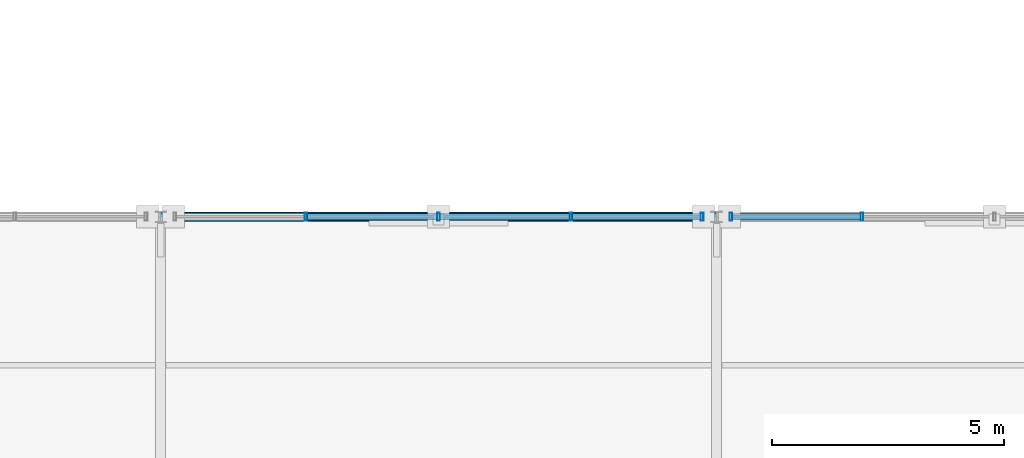
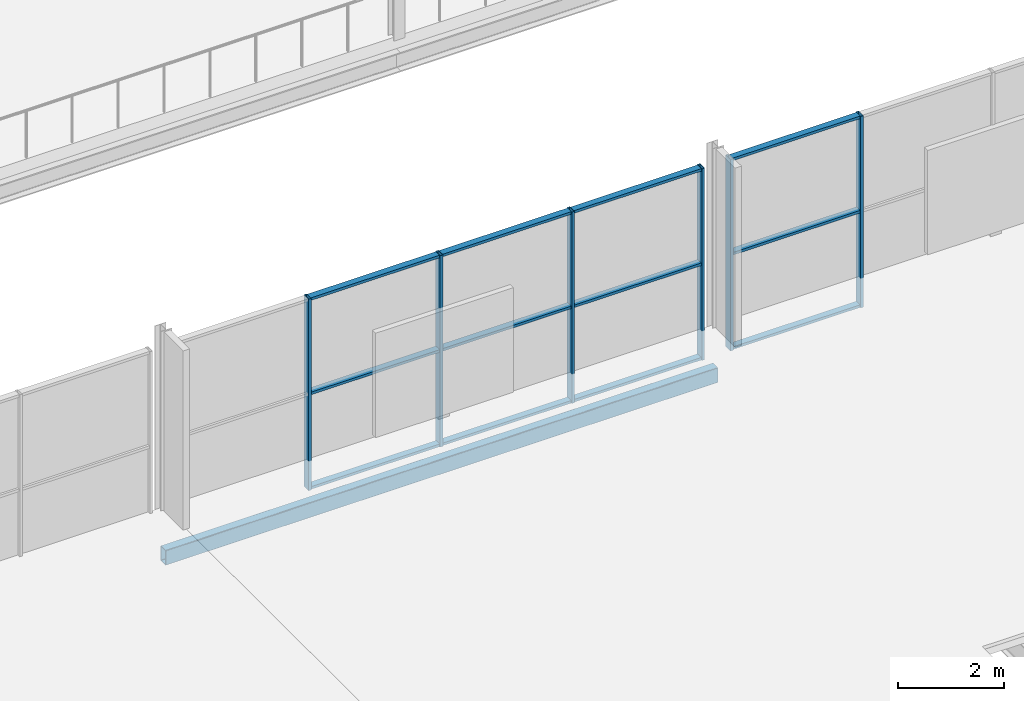
# One storey, part 99 of 159: 18 members, 1 beam, 2 elements without a shape of their own.
"""IFC4 building model written with IfcOpenShell, lengths in metres."""

from ifc_helpers import new_model, si_unit, direction, frame, origin, origin_2d, place, context, subcontext, project, spatial, hollow_rectangle, extrude, material, material_profile, profile_set, type_object, element, aggregate, save


model = new_model("IFC4")

# Units and contexts
model_context = context("Model", 3, precision=1e-05, world=origin(), true_north=direction((0.0, 1.0)))
body_context = subcontext(model_context, "Body", "Model", "MODEL_VIEW")
ifc_project = project(units=[si_unit("LENGTHUNIT", "METRE"), si_unit("AREAUNIT", "SQUARE_METRE"), si_unit("VOLUMEUNIT", "CUBIC_METRE"), si_unit("PLANEANGLEUNIT", "RADIAN"), si_unit("MASSUNIT", "GRAM", prefix="KILO")], contexts=[model_context])

# Site, building, storey
site_placement = place(None, origin())
site = spatial("IfcSite", under=ifc_project, at=site_placement, CompositionType="ELEMENT")
building_placement = place(site_placement, origin())
building = spatial("IfcBuilding", under=site, at=building_placement, Name="Merenkruunu Market Hall", CompositionType="ELEMENT")
storey_placement = place(building_placement, frame((0.0, 0.0, 5.39990234375)))
storey = spatial("IfcBuildingStorey", under=building, at=storey_placement, Name="L01", CompositionType="ELEMENT", Elevation=5.39990234375)

# Curtain wall, members
ifc_material_1 = material(Name="Powder-coated aluminium", Category="aluminium")
curtain_wall_type = type_object("IfcCurtainWallType", Name="Glazed Curtain Wall CW02", PredefinedType="USERDEFINED", material=ifc_material_1)
curtain_wall_1_placement = place(storey_placement, origin())
curtain_wall_1 = element("IfcCurtainWall", 1, at=curtain_wall_1_placement, inside=storey, type_object=curtain_wall_type, Name="CW-L01-CWM02-195", ObjectType="GLAZED_FACADE", PredefinedType="USERDEFINED")
ifc_material_profile_1 = material_profile(ifc_material_1, hollow_rectangle(XDim=0.06005859375, YDim=0.179931640625, WallThickness=0.00390625, at=origin_2d()), Name="ALU 60x180x4")
ifc_profile_set_1 = profile_set([ifc_material_profile_1], Name="Powder-coated aluminium")
member_type_1 = type_object("IfcMemberType", Name="Curtain Wall Mullion CWM02", PredefinedType="MULLION", material=ifc_profile_set_1)
member_1_placement = place(storey_placement, frame((136.489990234375, 15.60009765625, 0.0), z_axis=(0.0, 0.0, 1.0), x_axis=(-1.0, 0.0, 0.0)))
member_1 = element("IfcMember", 2, at=member_1_placement, type_object=member_type_1, Name="CW02 mullion 1", PredefinedType="MULLION", context=body_context, shape_type="SweptSolid", body=[
    extrude(hollow_rectangle(XDim=0.06005859375, YDim=0.179931640625, WallThickness=0.00390625, at=origin_2d()), origin(), (0.0, 0.0, 1.0), 4.400146484375),
])
member_2_placement = place(storey_placement, frame((133.659912109375, 15.60009765625, 0.0), z_axis=(0.0, 0.0, 1.0), x_axis=(-1.0, 0.0, 0.0)))
member_2 = element("IfcMember", 3, at=member_2_placement, type_object=member_type_1, Name="CW02 mullion 2", PredefinedType="MULLION", context=body_context, shape_type="SweptSolid", body=[
    extrude(hollow_rectangle(XDim=0.06005859375, YDim=0.179931640625, WallThickness=0.00390625, at=origin_2d()), origin(), (0.0, 0.0, 1.0), 4.400146484375),
])
member_3_placement = place(storey_placement, frame((130.800048828125, 15.60009765625, 0.0), z_axis=(0.0, 0.0, 1.0), x_axis=(-1.0, 0.0, 0.0)))
member_3 = element("IfcMember", 4, at=member_3_placement, type_object=member_type_1, Name="CW02 mullion 3", PredefinedType="MULLION", context=body_context, shape_type="SweptSolid", body=[
    extrude(hollow_rectangle(XDim=0.06005859375, YDim=0.179931640625, WallThickness=0.00390625, at=origin_2d()), origin(), (0.0, 0.0, 1.0), 4.400146484375),
])
member_4_placement = place(storey_placement, frame((127.93994140625, 15.60009765625, 0.0), z_axis=(0.0, 0.0, 1.0), x_axis=(-1.0, 0.0, 0.0)))
member_4 = element("IfcMember", 5, at=member_4_placement, type_object=member_type_1, Name="CW02 mullion 4", PredefinedType="MULLION", context=body_context, shape_type="SweptSolid", body=[
    extrude(hollow_rectangle(XDim=0.06005859375, YDim=0.179931640625, WallThickness=0.00390625, at=origin_2d()), origin(), (0.0, 0.0, 1.0), 4.400146484375),
])

curtain_wall_2_placement = place(storey_placement, origin())
curtain_wall_2 = element("IfcCurtainWall", 6, at=curtain_wall_2_placement, inside=storey, type_object=curtain_wall_type, Name="CW-L01-CWM02-199", ObjectType="GLAZED_FACADE", PredefinedType="USERDEFINED")
member_5_placement = place(storey_placement, frame((139.93994140625, 15.60009765625, 0.0), z_axis=(0.0, 0.0, 1.0), x_axis=(-1.0, 0.0, 0.0)))
member_5 = element("IfcMember", 7, at=member_5_placement, type_object=member_type_1, Name="CW02 mullion 4", PredefinedType="MULLION", context=body_context, shape_type="SweptSolid", body=[
    extrude(hollow_rectangle(XDim=0.06005859375, YDim=0.179931640625, WallThickness=0.00390625, at=origin_2d()), origin(), (0.0, 0.0, 1.0), 4.400146484375),
])
member_6_placement = place(storey_placement, frame((137.110107421875, 15.60009765625, 0.0), z_axis=(0.0, 0.0, 1.0), x_axis=(-1.0, 0.0, 0.0)))
member_6 = element("IfcMember", 8, at=member_6_placement, type_object=member_type_1, Name="CW02 mullion 5", PredefinedType="MULLION", context=body_context, shape_type="SweptSolid", body=[
    extrude(hollow_rectangle(XDim=0.06005859375, YDim=0.179931640625, WallThickness=0.00390625, at=origin_2d()), origin(), (0.0, 0.0, 1.0), 4.400146484375),
])

# Member
ifc_material_profile_2 = material_profile(ifc_material_1, hollow_rectangle(XDim=0.06005859375, YDim=0.139892578125, WallThickness=0.00390625, at=origin_2d()), Name="ALU 60x140x4")
ifc_profile_set_2 = profile_set([ifc_material_profile_2], Name="Powder-coated aluminium")
member_type_2 = type_object("IfcMemberType", Name="Curtain Wall Transom CWT02", PredefinedType="USERDEFINED", material=ifc_profile_set_2)
member_7_placement = place(storey_placement, frame((136.4599609375, 15.60009765625, 0.030029296875), z_axis=(-1.0, 0.0, 0.0), x_axis=(0.0, 0.0, 1.0)))
member_7 = element("IfcMember", 9, at=member_7_placement, type_object=member_type_2, Name="CW02 transom 1.1", ObjectType="TRANSOM", PredefinedType="USERDEFINED", context=body_context, shape_type="SweptSolid", body=[
    extrude(hollow_rectangle(XDim=0.06005859375, YDim=0.139892578125, WallThickness=0.00390625, at=origin_2d()), origin(), (0.0, 0.0, 1.0), 2.77001953125),
])

member_8_placement = place(storey_placement, frame((136.4599609375, 15.60009765625, 2.2001953125), z_axis=(-1.0, 0.0, 0.0), x_axis=(0.0, 0.0, 1.0)))
member_8 = element("IfcMember", 10, at=member_8_placement, type_object=member_type_2, Name="CW02 transom 1.2", ObjectType="TRANSOM", PredefinedType="USERDEFINED", context=body_context, shape_type="SweptSolid", body=[
    extrude(hollow_rectangle(XDim=0.06005859375, YDim=0.139892578125, WallThickness=0.00390625, at=origin_2d()), origin(), (0.0, 0.0, 1.0), 2.77001953125),
])

member_9_placement = place(storey_placement, frame((136.4599609375, 15.60009765625, 4.3701171875), z_axis=(-1.0, 0.0, 0.0), x_axis=(0.0, 0.0, 1.0)))
member_9 = element("IfcMember", 11, at=member_9_placement, type_object=member_type_2, Name="CW02 transom 1.3", ObjectType="TRANSOM", PredefinedType="USERDEFINED", context=body_context, shape_type="SweptSolid", body=[
    extrude(hollow_rectangle(XDim=0.06005859375, YDim=0.139892578125, WallThickness=0.00390625, at=origin_2d()), origin(), (0.0, 0.0, 1.0), 2.77001953125),
])

member_10_placement = place(storey_placement, frame((133.6298828125, 15.60009765625, 0.030029296875), z_axis=(-1.0, 0.0, 0.0), x_axis=(0.0, 0.0, 1.0)))
member_10 = element("IfcMember", 12, at=member_10_placement, type_object=member_type_2, Name="CW02 transom 2.1", ObjectType="TRANSOM", PredefinedType="USERDEFINED", context=body_context, shape_type="SweptSolid", body=[
    extrude(hollow_rectangle(XDim=0.06005859375, YDim=0.139892578125, WallThickness=0.00390625, at=origin_2d()), origin(), (0.0, 0.0, 1.0), 2.7998046875),
])

member_11_placement = place(storey_placement, frame((133.6298828125, 15.60009765625, 2.2001953125), z_axis=(-1.0, 0.0, 0.0), x_axis=(0.0, 0.0, 1.0)))
member_11 = element("IfcMember", 13, at=member_11_placement, type_object=member_type_2, Name="CW02 transom 2.2", ObjectType="TRANSOM", PredefinedType="USERDEFINED", context=body_context, shape_type="SweptSolid", body=[
    extrude(hollow_rectangle(XDim=0.06005859375, YDim=0.139892578125, WallThickness=0.00390625, at=origin_2d()), origin(), (0.0, 0.0, 1.0), 2.7998046875),
])

member_12_placement = place(storey_placement, frame((133.6298828125, 15.60009765625, 4.3701171875), z_axis=(-1.0, 0.0, 0.0), x_axis=(0.0, 0.0, 1.0)))
member_12 = element("IfcMember", 14, at=member_12_placement, type_object=member_type_2, Name="CW02 transom 2.3", ObjectType="TRANSOM", PredefinedType="USERDEFINED", context=body_context, shape_type="SweptSolid", body=[
    extrude(hollow_rectangle(XDim=0.06005859375, YDim=0.139892578125, WallThickness=0.00390625, at=origin_2d()), origin(), (0.0, 0.0, 1.0), 2.7998046875),
])

member_13_placement = place(storey_placement, frame((130.77001953125, 15.60009765625, 0.030029296875), z_axis=(-1.0, 0.0, 0.0), x_axis=(0.0, 0.0, 1.0)))
member_13 = element("IfcMember", 15, at=member_13_placement, type_object=member_type_2, Name="CW02 transom 3.1", ObjectType="TRANSOM", PredefinedType="USERDEFINED", context=body_context, shape_type="SweptSolid", body=[
    extrude(hollow_rectangle(XDim=0.06005859375, YDim=0.139892578125, WallThickness=0.00390625, at=origin_2d()), origin(), (0.0, 0.0, 1.0), 2.800048828125),
])

member_14_placement = place(storey_placement, frame((130.77001953125, 15.60009765625, 2.2001953125), z_axis=(-1.0, 0.0, 0.0), x_axis=(0.0, 0.0, 1.0)))
member_14 = element("IfcMember", 16, at=member_14_placement, type_object=member_type_2, Name="CW02 transom 3.2", ObjectType="TRANSOM", PredefinedType="USERDEFINED", context=body_context, shape_type="SweptSolid", body=[
    extrude(hollow_rectangle(XDim=0.06005859375, YDim=0.139892578125, WallThickness=0.00390625, at=origin_2d()), origin(), (0.0, 0.0, 1.0), 2.800048828125),
])

member_15_placement = place(storey_placement, frame((130.77001953125, 15.60009765625, 4.3701171875), z_axis=(-1.0, 0.0, 0.0), x_axis=(0.0, 0.0, 1.0)))
member_15 = element("IfcMember", 17, at=member_15_placement, type_object=member_type_2, Name="CW02 transom 3.3", ObjectType="TRANSOM", PredefinedType="USERDEFINED", context=body_context, shape_type="SweptSolid", body=[
    extrude(hollow_rectangle(XDim=0.06005859375, YDim=0.139892578125, WallThickness=0.00390625, at=origin_2d()), origin(), (0.0, 0.0, 1.0), 2.800048828125),
])

aggregate(curtain_wall_1, [member_1, member_2, member_3, member_4, member_7, member_8, member_9, member_10, member_11, member_12, member_13, member_14, member_15])

member_16_placement = place(storey_placement, frame((139.909912109375, 15.60009765625, 0.030029296875), z_axis=(-1.0, 0.0, 0.0), x_axis=(0.0, 0.0, 1.0)))
member_16 = element("IfcMember", 18, at=member_16_placement, type_object=member_type_2, Name="CW02 transom 4.1", ObjectType="TRANSOM", PredefinedType="USERDEFINED", context=body_context, shape_type="SweptSolid", body=[
    extrude(hollow_rectangle(XDim=0.06005859375, YDim=0.139892578125, WallThickness=0.00390625, at=origin_2d()), origin(), (0.0, 0.0, 1.0), 2.77001953125),
])

member_17_placement = place(storey_placement, frame((139.909912109375, 15.60009765625, 2.2001953125), z_axis=(-1.0, 0.0, 0.0), x_axis=(0.0, 0.0, 1.0)))
member_17 = element("IfcMember", 19, at=member_17_placement, type_object=member_type_2, Name="CW02 transom 4.2", ObjectType="TRANSOM", PredefinedType="USERDEFINED", context=body_context, shape_type="SweptSolid", body=[
    extrude(hollow_rectangle(XDim=0.06005859375, YDim=0.139892578125, WallThickness=0.00390625, at=origin_2d()), origin(), (0.0, 0.0, 1.0), 2.77001953125),
])

member_18_placement = place(storey_placement, frame((139.909912109375, 15.60009765625, 4.3701171875), z_axis=(-1.0, 0.0, 0.0), x_axis=(0.0, 0.0, 1.0)))
member_18 = element("IfcMember", 20, at=member_18_placement, type_object=member_type_2, Name="CW02 transom 4.3", ObjectType="TRANSOM", PredefinedType="USERDEFINED", context=body_context, shape_type="SweptSolid", body=[
    extrude(hollow_rectangle(XDim=0.06005859375, YDim=0.139892578125, WallThickness=0.00390625, at=origin_2d()), origin(), (0.0, 0.0, 1.0), 2.77001953125),
])

aggregate(curtain_wall_2, [member_5, member_6, member_16, member_17, member_18])

# Beam
ifc_material_2 = material(Name="Steel S355J2", Category="steel")
ifc_material_profile_3 = material_profile(ifc_material_2, hollow_rectangle(XDim=0.199951171875, YDim=0.35009765625, WallThickness=0.012451171875, InnerFilletRadius=0.012451171875, OuterFilletRadius=0.02490234375, at=origin_2d()), Name="RHS 350x200x12.5")
ifc_profile_set_3 = profile_set([ifc_material_profile_3], Name="Steel S355J2")
beam_type = type_object("IfcBeamType", Name="Perimeter Spandrel Beam SP02", PredefinedType="SPANDREL", material=ifc_profile_set_3)
beam_placement = place(storey_placement, frame((124.800048828125, 15.60009765625, -0.454833984375), z_axis=(1.0, 0.0, 0.0), x_axis=(0.0, 1.0, 0.0)))
element("IfcBeam", 21, at=beam_placement, inside=storey, type_object=beam_type, Name="BM-L01-SP02-1203", PredefinedType="SPANDREL", context=body_context, shape_type="SweptSolid", body=[
    extrude(hollow_rectangle(XDim=0.199951171875, YDim=0.35009765625, WallThickness=0.012451171875, InnerFilletRadius=0.012451171875, OuterFilletRadius=0.02490234375, at=origin_2d()), origin(), (0.0, 0.0, 1.0), 12.0),
])

save(model, "model.ifc")
